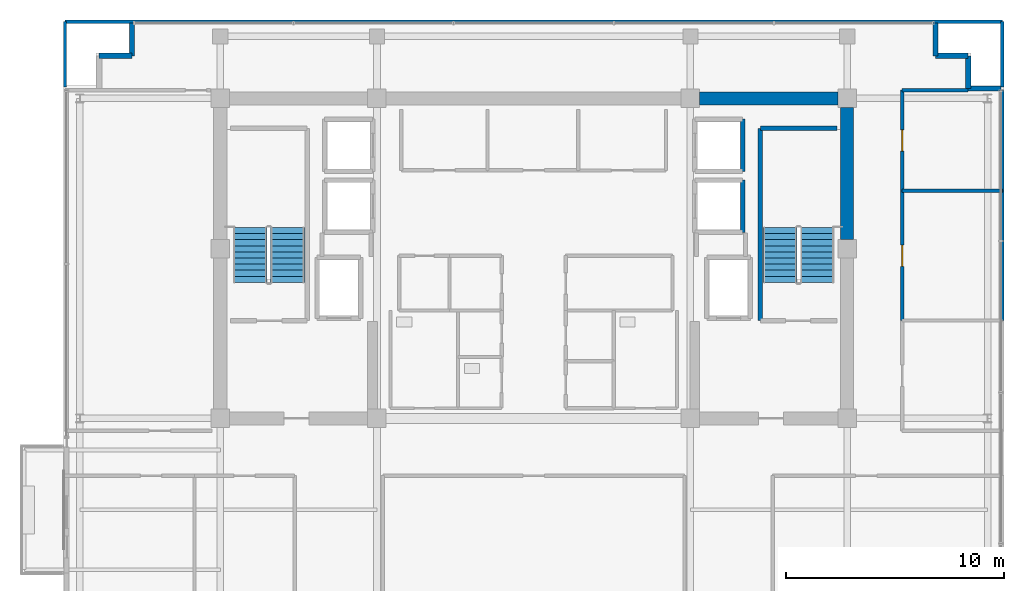
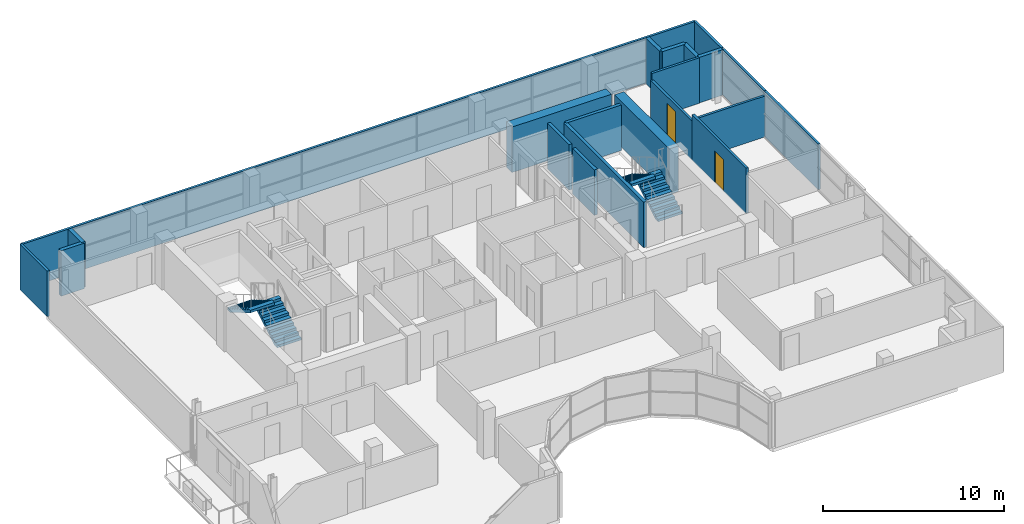
# One storey, part 25 of 28: 21 walls, 4 stair flights, 2 doors, 2 openings, 2 elements without a shape of their own.
"""IFC4 building model written with IfcOpenShell, lengths in metres."""

import ifcopenshell
import ifcopenshell.guid

model = None  # the IFC model being written
_history = None  # IfcOwnerHistory: only IFC2X3 demands one
_inside = {}  # id of a spatial element -> (the spatial element, [elements in it])
_under = {}  # id of a project, library or spatial element -> (it, [spatial elements below it])
_declared = {}  # id of a project -> (the project, [libraries it declares])
_typed = {}  # id of a type object -> (the type object, [elements of that type])
_made_of = {}  # id of a material, layer set ... -> (it, [elements and type objects made of it])


def new_model(schema):
    """Start an empty IFC model of exactly this schema.

    Asked for "IFC4X3", IfcOpenShell would pick the latest addendum, in which some entities
    have other attributes; the version numbers below select the first issue.
    IFC2X3 requires an IfcOwnerHistory on every rooted entity: one is made here for all.
    """
    global model, _history
    if schema == "IFC4X3":
        model = ifcopenshell.file(schema_version=(4, 3, 0, 0))
    else:
        model = ifcopenshell.file(schema=schema)
    _inside.clear()
    _under.clear()
    _declared.clear()
    _typed.clear()
    _made_of.clear()
    _history = None
    if model.schema == "IFC2X3":
        org = make("IfcOrganization", Name="unknown")
        user = make(
            "IfcPersonAndOrganization",
            ThePerson=make("IfcPerson", FamilyName="unknown"),
            TheOrganization=org,
        )
        app = make(
            "IfcApplication",
            ApplicationDeveloper=org,
            Version="unknown",
            ApplicationFullName="unknown",
            ApplicationIdentifier="unknown",
        )
        _history = make(
            "IfcOwnerHistory",
            OwningUser=user,
            OwningApplication=app,
            ChangeAction="ADDED",
            CreationDate=0,
        )
    return model


def make(cls, **values):
    """One entity of the class cls with the attributes given. An attribute that is None is left unset."""
    return model.create_entity(
        cls, **{name: value for name, value in values.items() if value is not None}
    )


def rooted(cls, **values):
    """An entity with a GlobalId (a new one), such as an element, a storey or a relation."""
    return make(cls, GlobalId=ifcopenshell.guid.new(), OwnerHistory=_history, **values)


def si_unit(unit_type, name, prefix=None):
    """IfcSIUnit, for example si_unit("LENGTHUNIT", "METRE", prefix="MILLI")."""
    return make("IfcSIUnit", UnitType=unit_type, Prefix=prefix, Name=name)


def assignment(units):
    """IfcUnitAssignment: the units of a project."""
    return None if units is None else make("IfcUnitAssignment", Units=units)


def point(xyz):
    """IfcCartesianPoint."""
    return None if xyz is None else make("IfcCartesianPoint", Coordinates=xyz)


def direction(xyz):
    """IfcDirection."""
    return None if xyz is None else make("IfcDirection", DirectionRatios=xyz)


def frame(location, z_axis=None, x_axis=None):
    """IfcAxis2Placement3D, a coordinate frame: its origin and axes. An axis left out is left unset."""
    return make(
        "IfcAxis2Placement3D",
        Location=point(location),
        Axis=direction(z_axis),
        RefDirection=direction(x_axis),
    )


def frame_2d(location, x_axis=None):
    """IfcAxis2Placement2D, a coordinate frame in the plane: its origin and x axis."""
    return make(
        "IfcAxis2Placement2D", Location=point(location), RefDirection=direction(x_axis)
    )


def origin():
    """The frame at (0, 0, 0) with its axes left unset."""
    return frame((0.0, 0.0, 0.0))


def place(relative_to, where):
    """IfcLocalPlacement: puts the frame where relative to a parent placement (None: the world)."""
    return make(
        "IfcLocalPlacement", PlacementRelTo=relative_to, RelativePlacement=where
    )


def context(
    kind, dimensions, precision=None, world=None, true_north=None, identifier=None
):
    """IfcGeometricRepresentationContext, for example the 3D "Model" context."""
    return make(
        "IfcGeometricRepresentationContext",
        ContextIdentifier=identifier,
        ContextType=kind,
        CoordinateSpaceDimension=dimensions,
        Precision=precision,
        WorldCoordinateSystem=world,
        TrueNorth=true_north,
    )


def subcontext(parent, identifier, kind, view, scale=None):
    """IfcGeometricRepresentationSubContext, for example "Body" below "Model"."""
    return make(
        "IfcGeometricRepresentationSubContext",
        ContextIdentifier=identifier,
        ContextType=kind,
        ParentContext=parent,
        TargetScale=scale,
        TargetView=view,
    )


def project(units=None, contexts=None):
    """IfcProject with its units and contexts."""
    return rooted(
        "IfcProject",
        Name="project",
        RepresentationContexts=contexts,
        UnitsInContext=assignment(units),
    )


def spatial(cls, under=None, at=None, **own):
    """A site, building, storey or space (cls), placed at a placement, below another one or the project."""
    s = rooted(cls, ObjectPlacement=at, **own)
    if under is not None:
        _under.setdefault(under.id(), (under, []))[1].append(s)
    return s


def polyline(points):
    """IfcPolyline through the points."""
    return make("IfcPolyline", Points=[point(p) for p in points])


def profile(cls, at=None, kind="AREA", **sizes):
    """A parametric profile (cls). Its sizes go by their IFC names, for example OverallWidth=200.0."""
    return make(cls, ProfileType=kind, Position=at, **sizes)


def rectangle(**sizes):
    """IfcRectangleProfileDef."""
    return profile("IfcRectangleProfileDef", **sizes)


def outline(outer, holes=None, kind="AREA"):
    """IfcArbitraryClosedProfileDef: a profile drawn as a closed curve; with holes, ...WithVoids."""
    if holes is None:
        return make("IfcArbitraryClosedProfileDef", ProfileType=kind, OuterCurve=outer)
    return make(
        "IfcArbitraryProfileDefWithVoids",
        ProfileType=kind,
        OuterCurve=outer,
        InnerCurves=holes,
    )


def extrude(swept, where, along, depth):
    """IfcExtrudedAreaSolid: the profile swept, set in the frame where, extruded along a direction by depth."""
    return make(
        "IfcExtrudedAreaSolid",
        SweptArea=swept,
        Position=where,
        ExtrudedDirection=direction(along),
        Depth=depth,
    )


def shape(context_of_items, identifier, shape_type, items):
    """IfcShapeRepresentation: the items that make up one representation, for example the "Body"."""
    return make(
        "IfcShapeRepresentation",
        ContextOfItems=context_of_items,
        RepresentationIdentifier=identifier,
        RepresentationType=shape_type,
        Items=items,
    )


def source(mapping_origin, context_of_items, identifier, shape_type, items):
    """IfcRepresentationMap: a shape defined once, which mapped items show again and again."""
    return make(
        "IfcRepresentationMap",
        MappingOrigin=mapping_origin,
        MappedRepresentation=shape(context_of_items, identifier, shape_type, items),
    )


def transform(
    local_origin,
    x_axis=None,
    y_axis=None,
    z_axis=None,
    scale=None,
    scale2=None,
    scale3=None,
    uniform=True,
):
    """IfcCartesianTransformationOperator3D, or its non-uniform kind. x_axis, y_axis, z_axis: its Axis1, 2, 3."""
    if uniform:
        return make(
            "IfcCartesianTransformationOperator3D",
            Axis1=direction(x_axis),
            Axis2=direction(y_axis),
            LocalOrigin=point(local_origin),
            Scale=scale,
            Axis3=direction(z_axis),
        )
    return make(
        "IfcCartesianTransformationOperator3DnonUniform",
        Axis1=direction(x_axis),
        Axis2=direction(y_axis),
        LocalOrigin=point(local_origin),
        Scale=scale,
        Axis3=direction(z_axis),
        Scale2=scale2,
        Scale3=scale3,
    )


def mapped(mapping_source, mapping_target):
    """IfcMappedItem: shows the shape of a source again, moved by a transform."""
    return make(
        "IfcMappedItem", MappingSource=mapping_source, MappingTarget=mapping_target
    )


def material(Name=None, Category=None):
    """IfcMaterial."""
    return make("IfcMaterial", Name=Name, Category=Category)


def layer(
    of_material, thickness, ventilated=None, Name=None, Category=None, Priority=None
):
    """IfcMaterialLayer: one layer of a wall or slab, of a material (None: an air gap)."""
    return make(
        "IfcMaterialLayer",
        Material=of_material,
        LayerThickness=thickness,
        IsVentilated=ventilated,
        Name=Name,
        Category=Category,
        Priority=Priority,
    )


def layer_set(layers, Name=None):
    """IfcMaterialLayerSet."""
    return make("IfcMaterialLayerSet", MaterialLayers=layers, LayerSetName=Name)


def made_of(thing, what):
    """Note that an element or type object is made of a material, layer set ...; save() writes the relation."""
    if what is not None:
        _made_of.setdefault(what.id(), (what, []))[1].append(thing)
    return thing


def type_object(cls, material=None, **own):
    """A type object (cls), such as IfcWallType, which elements share."""
    return made_of(rooted(cls, **own), material)


def element(
    cls,
    number,
    at=None,
    inside=None,
    cuts=None,
    type_object=None,
    material=None,
    context=None,
    identifier="Body",
    shape_type=None,
    held_by="IfcProductDefinitionShape",
    body=None,
    shapes=None,
    **own,
):
    """One element of the class cls, such as IfcWall. Its Tag is "e" and its number.

    at: its placement. inside: the storey or other place that contains it. cuts: it is an
    opening in that element (IfcRelVoidsElement). A single representation is given by context,
    identifier, shape_type and body (its items); several are given by shapes. held_by: the class
    of the entity that holds the representations. save() writes the other relations.
    """
    e = rooted(cls, Tag="e%d" % number, ObjectPlacement=at, **own)
    if body is not None:
        shapes = [shape(context, identifier, shape_type, body)]
    if shapes is not None:
        e.Representation = make(held_by, Representations=shapes)
    if inside is not None:
        _inside.setdefault(inside.id(), (inside, []))[1].append(e)
    if cuts is not None:
        rooted(
            "IfcRelVoidsElement", RelatingBuildingElement=cuts, RelatedOpeningElement=e
        )
    if type_object is not None:
        _typed.setdefault(type_object.id(), (type_object, []))[1].append(e)
    return made_of(e, material)


def fill(opening, filler):
    """IfcRelFillsElement: the door or window that sits in an opening."""
    return rooted(
        "IfcRelFillsElement",
        RelatingOpeningElement=opening,
        RelatedBuildingElement=filler,
    )


def aggregate(whole, parts):
    """IfcRelAggregates: a whole, such as a stair, and the parts it consists of."""
    return rooted("IfcRelAggregates", RelatingObject=whole, RelatedObjects=parts)


def save(model, path):
    """Write the relations noted so far, then the file.

    IfcRelAggregates (storeys below a building ...), IfcRelContainedInSpatialStructure (elements
    in a storey), IfcRelDefinesByType, IfcRelAssociatesMaterial and IfcRelDeclares: one each for
    every whole, place, type object, material and project.
    """
    for whole, parts in _under.values():
        aggregate(whole, parts)
    for where, things in _inside.values():
        rooted(
            "IfcRelContainedInSpatialStructure",
            RelatedElements=things,
            RelatingStructure=where,
        )
    for kind, things in _typed.values():
        rooted("IfcRelDefinesByType", RelatedObjects=things, RelatingType=kind)
    for what, things in _made_of.values():
        rooted("IfcRelAssociatesMaterial", RelatedObjects=things, RelatingMaterial=what)
    for by, libraries in _declared.values():
        rooted("IfcRelDeclares", RelatingContext=by, RelatedDefinitions=libraries)
    model.write(path)


model = new_model("IFC4")

# Units and contexts
model_context = context("Model", 3, precision=1e-05, world=origin(), true_north=direction((0.0, 1.0)))
body_context = subcontext(model_context, "Body", "Model", "MODEL_VIEW")
ifc_project = project(units=[si_unit("LENGTHUNIT", "METRE"), si_unit("AREAUNIT", "SQUARE_METRE"), si_unit("VOLUMEUNIT", "CUBIC_METRE"), si_unit("PLANEANGLEUNIT", "RADIAN"), si_unit("MASSUNIT", "GRAM", prefix="KILO")], contexts=[model_context])

# Site, building, storey
site_placement = place(None, origin())
site = spatial("IfcSite", under=ifc_project, at=site_placement, CompositionType="ELEMENT")
building_placement = place(site_placement, origin())
building = spatial("IfcBuilding", under=site, at=building_placement, Name="Zarnakvel Exchange Tower", CompositionType="ELEMENT")
storey_placement = place(building_placement, frame((0.0, 0.0, 261.699951171875)))
storey = spatial("IfcBuildingStorey", under=building, at=storey_placement, Name="L74", CompositionType="ELEMENT", Elevation=261.699951171875)

# Walls
ifc_material_1 = material(Name="Concrete C50/60", Category="concrete")
ifc_layer_1 = layer(ifc_material_1, 0.60009765625)
ifc_layer_set_1 = layer_set([ifc_layer_1], Name="Concrete C50/60")
wall_type_1 = type_object("IfcWallType", Name="CW-C5", PredefinedType="SHEAR", material=ifc_layer_set_1)
wall_1_placement = place(storey_placement, frame((7.625, 13.5, 0.0), z_axis=(0.0, 0.0, 1.0), x_axis=(1.0, 0.0, 0.0)))
element("IfcWall", 1, at=wall_1_placement, inside=storey, type_object=wall_type_1, Name="L74 Rear Core Shear Wall N3 (CW-C5)", PredefinedType="SHEAR", context=body_context, shape_type="SweptSolid", body=[
    extrude(rectangle(XDim=6.35009765625, YDim=0.60009765625, at=frame_2d((3.175048828125, 0.0))), origin(), (0.0, 0.0, 1.0), 3.074951171875),
])
wall_2_placement = place(storey_placement, frame((14.39990234375, 7.02490234375, 0.0), z_axis=(0.0, 0.0, 1.0), x_axis=(0.0, 1.0, 0.0)))
element("IfcWall", 2, at=wall_2_placement, inside=storey, type_object=wall_type_1, Name="L74 Rear Core Shear Wall E2 (CW-C5)", PredefinedType="SHEAR", context=body_context, shape_type="SweptSolid", body=[
    extrude(rectangle(XDim=6.050048828125, YDim=0.60009765625, at=frame_2d((3.02490234375, 0.0))), origin(), (0.0, 0.0, 1.0), 3.074951171875),
])
ifc_material_2 = material(Name="Precast concrete C40/50", Category="concrete")
ifc_layer_2 = layer(ifc_material_2, 0.239990234375)
ifc_layer_set_2 = layer_set([ifc_layer_2], Name="Precast concrete C40/50")
wall_type_2 = type_object("IfcWallType", Name="EW-02", PredefinedType="SOLIDWALL", material=ifc_layer_set_2)
for number, where, z_axis, x_axis, name in (
    (3, (-18.4599609375, 15.4599609375, 0.0), (0.0, 0.0, 1.0), (-1.0, 0.0, 0.0), "L74 Exterior Precast Spandrel Wall EWC-L74-05 (EW-02)"),
    (4, (-18.4599609375, 16.9599609375, 0.0), (0.0, 0.0, 1.0), (0.0, -1.0, 0.0), "L74 Exterior Precast Spandrel Wall EWC-L74-06 (EW-02)"),
    (5, (18.4599609375, 15.4599609375, 0.0), (0.0, 0.0, 1.0), (0.0, 1.0, 0.0), "L74 Exterior Precast Spandrel Wall EWC-L74-07 (EW-02)"),
    (6, (19.9599609375, 15.4599609375, 0.0), (0.0, 0.0, 1.0), (-1.0, 0.0, 0.0), "L74 Exterior Precast Spandrel Wall EWC-L74-08 (EW-02)"),
    (7, (19.9599609375, 13.9599609375, 0.0), (0.0, 0.0, 1.0), (0.0, 1.0, 0.0), "L74 Exterior Precast Spandrel Wall EWC-L74-09 (EW-02)"),
    (8, (21.4599609375, 13.9599609375, 0.0), (0.0, 0.0, 1.0), (-1.0, 0.0, 0.0), "L74 Exterior Precast Spandrel Wall EWC-L74-10 (EW-02)"),
):
    element("IfcWall", number, at=place(storey_placement, frame(where, z_axis=z_axis, x_axis=x_axis)), inside=storey, type_object=wall_type_2, Name=name, PredefinedType="SOLIDWALL", context=body_context, shape_type="SweptSolid", body=[
        extrude(rectangle(XDim=1.5, YDim=0.239990234375, at=frame_2d((0.75, 0.0))), origin(), (0.0, 0.0, 1.0), 3.074951171875),
    ])
ifc_material_3 = material(Name="Fire-Rated Gypsum Stud Partition", Category="gypsum")
ifc_layer_3 = layer(ifc_material_3, 0.14990234375)
ifc_layer_set_3 = layer_set([ifc_layer_3], Name="Fire-Rated Gypsum Stud Partition")
wall_type_3 = type_object("IfcWallType", Name="PT-01", PredefinedType="PARTITIONING", material=ifc_layer_set_3)
wall_3_placement = place(storey_placement, frame((16.929931640625, 9.25830078125, 0.0), z_axis=(0.0, 0.0, 1.0), x_axis=(1.0, 0.0, 0.0)))
element("IfcWall", 9, at=wall_3_placement, inside=storey, type_object=wall_type_3, Name="L74 Partition Wall PWALL-L74-072 (PT-01)", PredefinedType="PARTITIONING", context=body_context, shape_type="SweptSolid", body=[
    extrude(rectangle(XDim=4.60009765625, YDim=0.14990234375, at=frame_2d((2.300048828125, 0.0))), origin(), (0.0, 0.0, 1.0), 2.76513671875),
])

# Wall, opening, door
wall_4_placement = place(storey_placement, frame((16.929931640625, 3.2978515625, 0.0), z_axis=(0.0, 0.0, 1.0), x_axis=(0.0, 1.0, 0.0)))
wall_4 = element("IfcWall", 10, at=wall_4_placement, inside=storey, type_object=wall_type_3, Name="L74 Partition Wall PWALL-L74-073 (PT-01)", PredefinedType="PARTITIONING", context=body_context, shape_type="SweptSolid", body=[
    extrude(rectangle(XDim=5.96044921875, YDim=0.14990234375, at=frame_2d((2.980224609375, 0.0))), origin(), (0.0, 0.0, 1.0), 3.074951171875),
])
opening_1_placement = place(wall_4_placement, frame((2.489990234375, 0.0, 0.0)))
opening_1 = element("IfcOpeningElement", 11, at=opening_1_placement, cuts=wall_4, Name="Opening D-L74-25", PredefinedType="OPENING", context=body_context, shape_type="SweptSolid", body=[
    extrude(rectangle(XDim=0.97998046875, YDim=2.14990234375, at=frame_2d((0.489990234375, 1.074951171875))), frame((0.0, 0.0849609375, 0.0), z_axis=(0.0, -1.0, 0.0), x_axis=(1.0, 0.0, 0.0)), (0.0, 0.0, 1.0), 0.169921875),
])
ifc_material_4 = material(Name="Timber Acoustic Veneer", Category="wood")
door_type = type_object("IfcDoorType", Name="DT-05", OperationType="NOTDEFINED", PredefinedType="DOOR", material=ifc_material_4)
shared_shape = source(origin(), body_context, "Body", "SweptSolid", [
    extrude(rectangle(XDim=0.97998046875, YDim=2.14990234375, at=frame_2d((0.489990234375, 1.074951171875))), frame((0.0, 0.02490234375, 0.0), z_axis=(0.0, -1.0, 0.0), x_axis=(1.0, 0.0, 0.0)), (0.0, 0.0, 1.0), 0.050048828125),
])
door_1_placement = place(opening_1_placement, origin())
door_1 = element("IfcDoor", 12, at=door_1_placement, inside=storey, type_object=door_type, Name="L74 Settlement Office Door D-L74-25", OperationType="SINGLE_SWING_RIGHT", OverallHeight=2.14990234375, OverallWidth=0.97998046875, PredefinedType="DOOR", context=body_context, shape_type="MappedRepresentation", body=[
    mapped(shared_shape, transform((0.0, 0.0, 0.0), x_axis=(1.0, 0.0, 0.0), y_axis=(0.0, 1.0, 0.0), z_axis=(0.0, 0.0, 1.0), scale=1.0)),
])
fill(opening_1, door_1)

# Walls
wall_5_placement = place(storey_placement, frame((21.530029296875, 9.25830078125, 0.0), z_axis=(0.0, 0.0, 1.0), x_axis=(0.0, -1.0, 0.0)))
element("IfcWall", 13, at=wall_5_placement, inside=storey, type_object=wall_type_3, Name="L74 Partition Wall PWALL-L74-074 (PT-01)", PredefinedType="PARTITIONING", context=body_context, shape_type="SweptSolid", body=[
    extrude(rectangle(XDim=5.96044921875, YDim=0.14990234375, at=frame_2d((2.980224609375, 0.0))), origin(), (0.0, 0.0, 1.0), 3.074951171875),
])
wall_6_placement = place(storey_placement, frame((16.929931640625, 13.8798828125, 0.0), z_axis=(0.0, 0.0, 1.0), x_axis=(1.0, 0.0, 0.0)))
element("IfcWall", 14, at=wall_6_placement, inside=storey, type_object=wall_type_3, Name="L74 Partition Wall PWALL-L74-075 (PT-01)", PredefinedType="PARTITIONING", context=body_context, shape_type="SweptSolid", body=[
    extrude(rectangle(XDim=3.030029296875, YDim=0.14990234375, at=frame_2d((1.51513671875, 0.0))), origin(), (0.0, 0.0, 1.0), 3.074951171875),
])

# Wall, opening, door
wall_7_placement = place(storey_placement, frame((16.929931640625, 9.25830078125, 0.0), z_axis=(0.0, 0.0, 1.0), x_axis=(0.0, 1.0, 0.0)))
wall_7 = element("IfcWall", 15, at=wall_7_placement, inside=storey, type_object=wall_type_3, Name="L74 Partition Wall PWALL-L74-076 (PT-01)", PredefinedType="PARTITIONING", context=body_context, shape_type="SweptSolid", body=[
    extrude(rectangle(XDim=4.62158203125, YDim=0.14990234375, at=frame_2d((2.310791015625, 0.0))), origin(), (0.0, 0.0, 1.0), 2.614990234375),
])
opening_2_placement = place(wall_7_placement, frame((1.82080078125, 0.0, 0.0)))
opening_2 = element("IfcOpeningElement", 16, at=opening_2_placement, cuts=wall_7, Name="Opening D-L74-26", PredefinedType="OPENING", context=body_context, shape_type="SweptSolid", body=[
    extrude(rectangle(XDim=0.97998046875, YDim=2.14990234375, at=frame_2d((0.489990234375, 1.074951171875))), frame((0.0, 0.0849609375, 0.0), z_axis=(0.0, -1.0, 0.0), x_axis=(1.0, 0.0, 0.0)), (0.0, 0.0, 1.0), 0.169921875),
])
door_2_placement = place(opening_2_placement, origin())
door_2 = element("IfcDoor", 17, at=door_2_placement, inside=storey, type_object=door_type, Name="L74 Reception Lounge Door D-L74-26", OperationType="SINGLE_SWING_LEFT", OverallHeight=2.14990234375, OverallWidth=0.97998046875, PredefinedType="DOOR", context=body_context, shape_type="MappedRepresentation", body=[
    mapped(shared_shape, transform((0.0, 0.0, 0.0), x_axis=(1.0, 0.0, 0.0), y_axis=(0.0, 1.0, 0.0), z_axis=(0.0, 0.0, 1.0), scale=1.0)),
])
fill(opening_2, door_2)

# Walls
wall_8_placement = place(storey_placement, frame((21.530029296875, 13.8798828125, 0.0), z_axis=(0.0, 0.0, 1.0), x_axis=(0.0, -1.0, 0.0)))
element("IfcWall", 18, at=wall_8_placement, inside=storey, type_object=wall_type_3, Name="L74 Partition Wall PWALL-L74-077 (PT-01)", PredefinedType="PARTITIONING", context=body_context, shape_type="SweptSolid", body=[
    extrude(rectangle(XDim=4.62158203125, YDim=0.14990234375, at=frame_2d((2.310791015625, 0.0))), origin(), (0.0, 0.0, 1.0), 3.074951171875),
])
wall_9_placement = place(storey_placement, frame((-21.530029296875, 17.030029296875, 0.0), z_axis=(0.0, 0.0, 1.0), x_axis=(1.0, 0.0, 0.0)))
element("IfcWall", 19, at=wall_9_placement, inside=storey, type_object=wall_type_3, Name="L74 Partition Wall PWALL-L74-078 (PT-01)", PredefinedType="PARTITIONING", context=body_context, shape_type="SweptSolid", body=[
    extrude(rectangle(XDim=43.06005859375, YDim=0.14990234375, at=frame_2d((21.530029296875, 0.0))), origin(), (0.0, 0.0, 1.0), 3.074951171875),
])
for number, where, z_axis, x_axis, name in (
    (20, (-21.530029296875, 14.030029296875, 0.0), (0.0, 0.0, 1.0), (0.0, 1.0, 0.0), "L74 Partition Wall PWALL-L74-079 (PT-01)"),
    (21, (21.530029296875, 17.030029296875, 0.0), (0.0, 0.0, 1.0), (0.0, -1.0, 0.0), "L74 Partition Wall PWALL-L74-080 (PT-01)"),
):
    element("IfcWall", number, at=place(storey_placement, frame(where, z_axis=z_axis, x_axis=x_axis)), inside=storey, type_object=wall_type_3, Name=name, PredefinedType="PARTITIONING", context=body_context, shape_type="SweptSolid", body=[
        extrude(rectangle(XDim=3.0, YDim=0.14990234375, at=frame_2d((1.5, 0.0))), origin(), (0.0, 0.0, 1.0), 3.074951171875),
    ])
ifc_material_5 = material(Name="Concrete C40/50", Category="concrete")
ifc_layer_4 = layer(ifc_material_5, 0.199951171875)
ifc_layer_set_4 = layer_set([ifc_layer_4], Name="Concrete C40/50")
wall_type_4 = type_object("IfcWallType", Name="SW-01", PredefinedType="SOLIDWALL", material=ifc_layer_set_4)
wall_10_placement = place(storey_placement, frame((9.60009765625, 9.75, 0.0), z_axis=(0.0, 0.0, 1.0), x_axis=(0.0, -1.0, 0.0)))
element("IfcWall", 22, at=wall_10_placement, inside=storey, type_object=wall_type_4, Name="L74 PL-11 Hoistway Wall East", PredefinedType="SOLIDWALL", context=body_context, shape_type="SweptSolid", body=[
    extrude(rectangle(XDim=2.39990234375, YDim=0.199951171875, at=frame_2d((1.199951171875, 0.0))), origin(), (0.0, 0.0, 1.0), 3.074951171875),
])
wall_11_placement = place(storey_placement, frame((9.60009765625, 12.550048828125, 0.0), z_axis=(0.0, 0.0, 1.0), x_axis=(0.0, -1.0, 0.0)))
element("IfcWall", 23, at=wall_11_placement, inside=storey, type_object=wall_type_4, Name="L74 PL-12 Hoistway Wall East", PredefinedType="SOLIDWALL", context=body_context, shape_type="SweptSolid", body=[
    extrude(rectangle(XDim=2.400146484375, YDim=0.199951171875, at=frame_2d((1.2001953125, 0.0))), origin(), (0.0, 0.0, 1.0), 3.074951171875),
])
ifc_layer_5 = layer(ifc_material_5, 0.199951171875)
ifc_layer_set_5 = layer_set([ifc_layer_5], Name="Concrete C40/50")
wall_type_5 = type_object("IfcWallType", Name="SW-02", PredefinedType="SOLIDWALL", material=ifc_layer_set_5)
wall_12_placement = place(storey_placement, frame((10.409912109375, 12.1298828125, 0.0), z_axis=(0.0, 0.0, 1.0), x_axis=(1.0, 0.0, 0.0)))
element("IfcWall", 24, at=wall_12_placement, inside=storey, type_object=wall_type_5, Name="L74 Stairwell Core Wall PWALL-L74-005 (SW-02)", PredefinedType="SOLIDWALL", context=body_context, shape_type="SweptSolid", body=[
    extrude(rectangle(XDim=3.52001953125, YDim=0.199951171875, at=frame_2d((1.760009765625, 0.0))), origin(), (0.0, 0.0, 1.0), 3.074951171875),
])
wall_13_placement = place(storey_placement, frame((10.409912109375, 3.2900390625, 0.0), z_axis=(0.0, 0.0, 1.0), x_axis=(0.0, 1.0, 0.0)))
element("IfcWall", 25, at=wall_13_placement, inside=storey, type_object=wall_type_5, Name="L74 Stairwell Core Wall PWALL-L74-006 (SW-02)", PredefinedType="SOLIDWALL", context=body_context, shape_type="SweptSolid", body=[
    extrude(rectangle(XDim=8.83984375, YDim=0.199951171875, at=frame_2d((4.419921875, 0.0))), origin(), (0.0, 0.0, 1.0), 3.074951171875),
])

# Stair, stair flights
stair_type = type_object("IfcStairType", Name="STR-01", PredefinedType="HALF_TURN_STAIR", material=ifc_material_5)
stair_1_placement = place(storey_placement, origin())
stair_1 = element("IfcStair", 26, at=stair_1_placement, inside=storey, type_object=stair_type, Name="L74 Protected Core Exit Stair ST-01", PredefinedType="HALF_TURN_STAIR")
stair_flight_type = type_object("IfcStairFlightType", Name="FLT-01", PredefinedType="STRAIGHT", material=ifc_material_5)
stair_flight_1_placement = place(storey_placement, frame((-11.31494140625, 5.050048828125, 0.0), z_axis=(0.0, 0.0, 1.0), x_axis=(0.0, 1.0, 0.0)))
stair_flight_1 = element("IfcStairFlight", 27, at=stair_flight_1_placement, type_object=stair_flight_type, Name="ST-01 flight 1", NumberOfRisers=10, NumberOfTreads=9, PredefinedType="STRAIGHT", RiserHeight=0.165, TreadLength=0.28, context=body_context, shape_type="SweptSolid", body=[
    extrude(outline(polyline([(0.0, 0.0), (0.0, 0.1650390625), (0.280029296875, 0.1650390625), (0.280029296875, 0.330078125), (0.56005859375, 0.330078125), (0.56005859375, 0.4951171875), (0.840087890625, 0.4951171875), (0.840087890625, 0.659912109375), (1.1201171875, 0.659912109375), (1.1201171875, 0.824951171875), (1.39990234375, 0.824951171875), (1.39990234375, 0.989990234375), (1.679931640625, 0.989990234375), (1.679931640625, 1.155029296875), (1.9599609375, 1.155029296875), (1.9599609375, 1.320068359375), (2.239990234375, 1.320068359375), (2.239990234375, 1.485107421875), (2.52001953125, 1.485107421875), (2.52001953125, 1.64990234375), (2.52001953125, 1.31103515625), (0.295166015625, 0.0), (0.0, 0.0)])), frame((0.0, 0.77490234375, 0.0), z_axis=(0.0, -1.0, 0.0), x_axis=(1.0, 0.0, 0.0)), (0.0, 0.0, 1.0), 1.550048828125),
])
stair_flight_2_placement = place(storey_placement, frame((-13.02490234375, 7.570068359375, 1.650146484375), z_axis=(0.0, 0.0, 1.0), x_axis=(0.0, -1.0, 0.0)))
stair_flight_2 = element("IfcStairFlight", 28, at=stair_flight_2_placement, type_object=stair_flight_type, Name="ST-01 flight 2", NumberOfRisers=10, NumberOfTreads=9, PredefinedType="STRAIGHT", RiserHeight=0.165, TreadLength=0.28, context=body_context, shape_type="SweptSolid", body=[
    extrude(outline(polyline([(0.0, 0.0), (0.0, 0.1650390625), (0.280029296875, 0.1650390625), (0.280029296875, 0.330078125), (0.56005859375, 0.330078125), (0.56005859375, 0.4951171875), (0.840087890625, 0.4951171875), (0.840087890625, 0.659912109375), (1.1201171875, 0.659912109375), (1.1201171875, 0.824951171875), (1.39990234375, 0.824951171875), (1.39990234375, 0.989990234375), (1.679931640625, 0.989990234375), (1.679931640625, 1.155029296875), (1.9599609375, 1.155029296875), (1.9599609375, 1.320068359375), (2.239990234375, 1.320068359375), (2.239990234375, 1.485107421875), (2.52001953125, 1.485107421875), (2.52001953125, 1.64990234375), (2.52001953125, 1.31103515625), (0.295166015625, 0.0), (0.0, 0.0)])), frame((0.0, 0.77490234375, 0.0), z_axis=(0.0, -1.0, 0.0), x_axis=(1.0, 0.0, 0.0)), (0.0, 0.0, 1.0), 1.550048828125),
])
aggregate(stair_1, [stair_flight_1, stair_flight_2])

stair_2_placement = place(storey_placement, origin())
stair_2 = element("IfcStair", 29, at=stair_2_placement, inside=storey, type_object=stair_type, Name="L74 Protected Core Exit Stair ST-02", PredefinedType="HALF_TURN_STAIR")
stair_flight_3_placement = place(storey_placement, frame((13.02490234375, 5.050048828125, 0.0), z_axis=(0.0, 0.0, 1.0), x_axis=(0.0, 1.0, 0.0)))
stair_flight_3 = element("IfcStairFlight", 30, at=stair_flight_3_placement, type_object=stair_flight_type, Name="ST-02 flight 1", NumberOfRisers=10, NumberOfTreads=9, PredefinedType="STRAIGHT", RiserHeight=0.165, TreadLength=0.28, context=body_context, shape_type="SweptSolid", body=[
    extrude(outline(polyline([(0.0, 0.0), (0.0, 0.1650390625), (0.280029296875, 0.1650390625), (0.280029296875, 0.330078125), (0.56005859375, 0.330078125), (0.56005859375, 0.4951171875), (0.840087890625, 0.4951171875), (0.840087890625, 0.659912109375), (1.1201171875, 0.659912109375), (1.1201171875, 0.824951171875), (1.39990234375, 0.824951171875), (1.39990234375, 0.989990234375), (1.679931640625, 0.989990234375), (1.679931640625, 1.155029296875), (1.9599609375, 1.155029296875), (1.9599609375, 1.320068359375), (2.239990234375, 1.320068359375), (2.239990234375, 1.485107421875), (2.52001953125, 1.485107421875), (2.52001953125, 1.64990234375), (2.52001953125, 1.31103515625), (0.295166015625, 0.0), (0.0, 0.0)])), frame((0.0, 0.77490234375, 0.0), z_axis=(0.0, -1.0, 0.0), x_axis=(1.0, 0.0, 0.0)), (0.0, 0.0, 1.0), 1.550048828125),
])
stair_flight_4_placement = place(storey_placement, frame((11.31494140625, 7.570068359375, 1.650146484375), z_axis=(0.0, 0.0, 1.0), x_axis=(0.0, -1.0, 0.0)))
stair_flight_4 = element("IfcStairFlight", 31, at=stair_flight_4_placement, type_object=stair_flight_type, Name="ST-02 flight 2", NumberOfRisers=10, NumberOfTreads=9, PredefinedType="STRAIGHT", RiserHeight=0.165, TreadLength=0.28, context=body_context, shape_type="SweptSolid", body=[
    extrude(outline(polyline([(0.0, 0.0), (0.0, 0.1650390625), (0.280029296875, 0.1650390625), (0.280029296875, 0.330078125), (0.56005859375, 0.330078125), (0.56005859375, 0.4951171875), (0.840087890625, 0.4951171875), (0.840087890625, 0.659912109375), (1.1201171875, 0.659912109375), (1.1201171875, 0.824951171875), (1.39990234375, 0.824951171875), (1.39990234375, 0.989990234375), (1.679931640625, 0.989990234375), (1.679931640625, 1.155029296875), (1.9599609375, 1.155029296875), (1.9599609375, 1.320068359375), (2.239990234375, 1.320068359375), (2.239990234375, 1.485107421875), (2.52001953125, 1.485107421875), (2.52001953125, 1.64990234375), (2.52001953125, 1.31103515625), (0.295166015625, 0.0), (0.0, 0.0)])), frame((0.0, 0.77490234375, 0.0), z_axis=(0.0, -1.0, 0.0), x_axis=(1.0, 0.0, 0.0)), (0.0, 0.0, 1.0), 1.550048828125),
])
aggregate(stair_2, [stair_flight_3, stair_flight_4])

save(model, "model.ifc")
